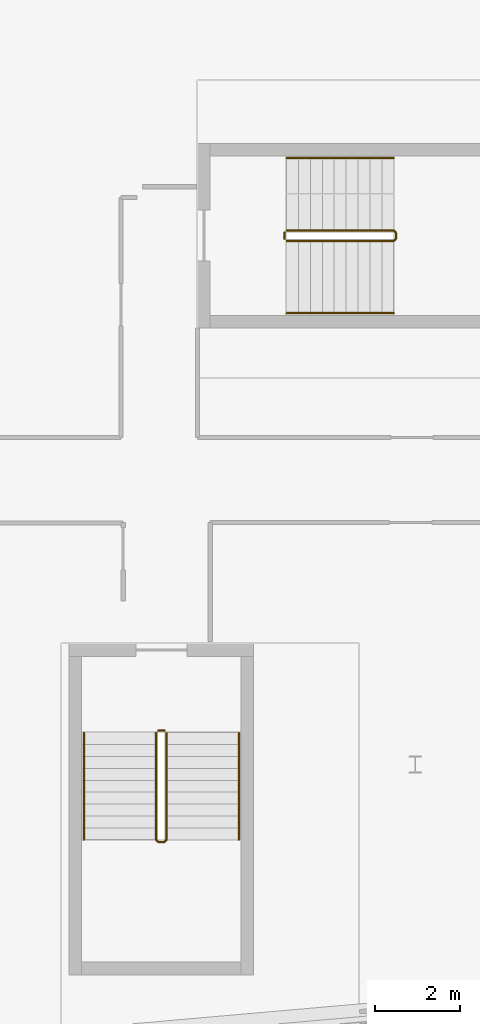
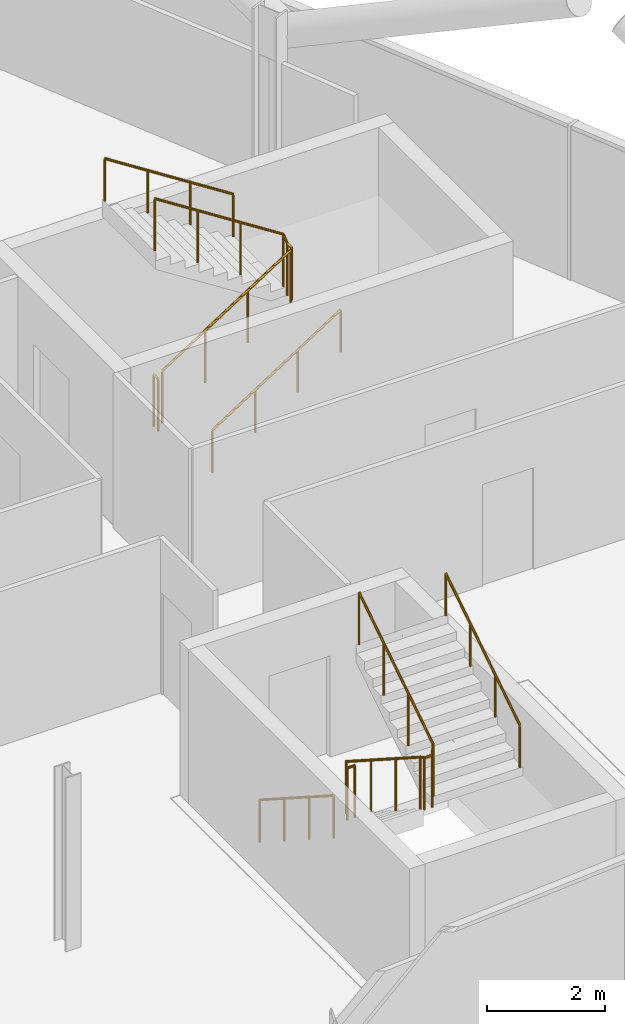
# One storey, part 25 of 26: 8 railings.
"""IFC4 building model written with IfcOpenShell, lengths in metres."""

from ifc_helpers import new_model, si_unit, direction, frame, origin, origin_2d, place, context, subcontext, project, spatial, circle, extrude, material, type_object, element, save


model = new_model("IFC4")

# Units and contexts
model_context = context("Model", 3, precision=1e-05, world=origin(), true_north=direction((0.0, 1.0)))
body_context = subcontext(model_context, "Body", "Model", "MODEL_VIEW")
ifc_project = project(units=[si_unit("LENGTHUNIT", "METRE"), si_unit("AREAUNIT", "SQUARE_METRE"), si_unit("VOLUMEUNIT", "CUBIC_METRE"), si_unit("PLANEANGLEUNIT", "RADIAN"), si_unit("MASSUNIT", "GRAM", prefix="KILO")], contexts=[model_context])

# Site, building, storey
site_placement = place(None, origin())
site = spatial("IfcSite", under=ifc_project, at=site_placement, CompositionType="ELEMENT")
building_placement = place(site_placement, origin())
building = spatial("IfcBuilding", under=site, at=building_placement, Name="Wharfspan Tower", CompositionType="ELEMENT")
storey_placement = place(building_placement, frame((0.0, 0.0, 217.899902)))
storey = spatial("IfcBuildingStorey", under=building, at=storey_placement, Name="L54", CompositionType="ELEMENT", Elevation=217.899902)

# Railings
ifc_material = material(Name="Steel S355J2", Category="steel")
railing_type_1 = type_object("IfcRailingType", Name="Stair guard 1100", PredefinedType="GUARDRAIL", material=ifc_material)
railing_1_placement = place(storey_placement, frame((65.893799, 12.246094, 0.180176)))
element("IfcRailing", 1, at=railing_1_placement, inside=storey, type_object=railing_type_1, Name="L54 ST5 stair guard 1", PredefinedType="GUARDRAIL", context=body_context, shape_type="SweptSolid", body=[
    extrude(circle(Radius=0.023926, at=origin_2d()), frame((0.0, 0.0, 1.076172), z_axis=(0.0, -0.8412, 0.540725), x_axis=(1.0, 0.0, 0.0)), (0.0, 0.0, 1.0), 2.99585),
    extrude(circle(Radius=0.023926, at=origin_2d()), frame((0.0, -2.52002, 2.695801), z_axis=(0.708834, -0.705376, 0.0), x_axis=(0.705376, 0.708834, 0.0)), (0.0, 0.0, 1.0), 0.070557),
    extrude(circle(Radius=0.023926, at=origin_2d()), frame((0.050049, -2.569824, 2.695801), z_axis=(1.0, 0.0, 0.0), x_axis=(0.0, 1.0, 0.0)), (0.0, 0.0, 1.0), 0.149902),
    extrude(circle(Radius=0.023926, at=origin_2d()), frame((0.199951, -2.569824, 2.695801), z_axis=(0.258932, 0.257669, 0.930892), x_axis=(-0.705372, 0.708833, -1e-06)), (0.0, 0.0, 1.0), 0.193359),
    extrude(circle(Radius=0.023926, at=origin_2d()), frame((0.25, -2.52002, 2.875977), z_axis=(0.0, 0.841163, 0.540782), x_axis=(-1.0, 0.0, 0.0)), (0.0, 0.0, 1.0), 2.99585),
    extrude(circle(Radius=0.020996, at=origin_2d()), origin(), (0.0, 0.0, 1.0), 1.052002),
    extrude(circle(Radius=0.020996, at=origin_2d()), frame((0.0, -0.840088, 0.540039)), (0.0, 0.0, 1.0), 1.052002),
    extrude(circle(Radius=0.020996, at=origin_2d()), frame((0.0, -1.679932, 1.079834)), (0.0, 0.0, 1.0), 1.052002),
    extrude(circle(Radius=0.020996, at=origin_2d()), frame((0.0, -2.52002, 1.619873)), (0.0, 0.0, 1.0), 1.052002),
    extrude(circle(Radius=0.020996, at=origin_2d()), frame((0.050049, -2.569824, 1.619873)), (0.0, 0.0, 1.0), 1.052002),
    extrude(circle(Radius=0.020996, at=origin_2d()), frame((0.199951, -2.569824, 1.619873)), (0.0, 0.0, 1.0), 1.052002),
    extrude(circle(Radius=0.020996, at=origin_2d()), frame((0.25, -2.52002, 1.799805)), (0.0, 0.0, 1.0), 1.052002),
    extrude(circle(Radius=0.020996, at=origin_2d()), frame((0.25, -1.679932, 2.339844)), (0.0, 0.0, 1.0), 1.052002),
    extrude(circle(Radius=0.020996, at=origin_2d()), frame((0.25, -0.840088, 2.879883)), (0.0, 0.0, 1.0), 1.052002),
    extrude(circle(Radius=0.020996, at=origin_2d()), frame((0.25, 0.0, 3.419922)), (0.0, 0.0, 1.0), 1.052002),
])
railing_2_placement = place(storey_placement, frame((65.943848, 12.296143, 0.0)))
element("IfcRailing", 2, at=railing_2_placement, inside=storey, type_object=railing_type_1, Name="L54 ST5 stair guard 2", PredefinedType="GUARDRAIL", context=body_context, shape_type="SweptSolid", body=[
    extrude(circle(Radius=0.023926, at=origin_2d()), frame((0.0, 0.0, 1.076172), z_axis=(1.0, 0.0, 0.0), x_axis=(0.0, 1.0, 0.0)), (0.0, 0.0, 1.0), 0.149902),
    extrude(circle(Radius=0.020996, at=origin_2d()), origin(), (0.0, 0.0, 1.0), 1.052002),
    extrude(circle(Radius=0.020996, at=origin_2d()), frame((0.149902, 0.0, 0.0)), (0.0, 0.0, 1.0), 1.052002),
])
railing_3_placement = place(storey_placement, frame((68.969482, 23.824951, 0.180176)))
element("IfcRailing", 3, at=railing_3_placement, inside=storey, type_object=railing_type_1, Name="L54 ST6 stair guard 1", PredefinedType="GUARDRAIL", context=body_context, shape_type="SweptSolid", body=[
    extrude(circle(Radius=0.023926, at=origin_2d()), frame((0.0, 0.0, 1.076172), z_axis=(0.8412, 0.0, 0.540725), x_axis=(0.0, 1.0, 0.0)), (0.0, 0.0, 1.0), 2.99585),
    extrude(circle(Radius=0.023926, at=origin_2d()), frame((2.52002, 0.0, 2.695801), z_axis=(0.707107, 0.707107, 0.0), x_axis=(-0.707107, 0.707107, 0.0)), (0.0, 0.0, 1.0), 0.070801),
    extrude(circle(Radius=0.023926, at=origin_2d()), frame((2.570068, 0.050049, 2.695801), z_axis=(0.0, 1.0, 0.0), x_axis=(-1.0, 0.0, 0.0)), (0.0, 0.0, 1.0), 0.149902),
    extrude(circle(Radius=0.023926, at=origin_2d()), frame((2.570068, 0.199951, 2.695801), z_axis=(-0.258848, 0.258848, 0.930589), x_axis=(-0.707107, -0.707107, 0.0)), (0.0, 0.0, 1.0), 0.193359),
    extrude(circle(Radius=0.023926, at=origin_2d()), frame((2.52002, 0.25, 2.875977), z_axis=(-0.841163, 0.0, 0.540782), x_axis=(0.0, -1.0, 0.0)), (0.0, 0.0, 1.0), 2.99585),
    extrude(circle(Radius=0.020996, at=origin_2d()), origin(), (0.0, 0.0, 1.0), 1.052002),
    extrude(circle(Radius=0.020996, at=origin_2d()), frame((0.840088, 0.0, 0.540039)), (0.0, 0.0, 1.0), 1.052002),
    extrude(circle(Radius=0.020996, at=origin_2d()), frame((1.679932, 0.0, 1.079834)), (0.0, 0.0, 1.0), 1.052002),
    extrude(circle(Radius=0.020996, at=origin_2d()), frame((2.52002, 0.0, 1.619873)), (0.0, 0.0, 1.0), 1.052002),
    extrude(circle(Radius=0.020996, at=origin_2d()), frame((2.570068, 0.050049, 1.619873)), (0.0, 0.0, 1.0), 1.052002),
    extrude(circle(Radius=0.020996, at=origin_2d()), frame((2.570068, 0.199951, 1.619873)), (0.0, 0.0, 1.0), 1.052002),
    extrude(circle(Radius=0.020996, at=origin_2d()), frame((2.52002, 0.25, 1.799805)), (0.0, 0.0, 1.0), 1.052002),
    extrude(circle(Radius=0.020996, at=origin_2d()), frame((1.679932, 0.25, 2.339844)), (0.0, 0.0, 1.0), 1.052002),
    extrude(circle(Radius=0.020996, at=origin_2d()), frame((0.840088, 0.25, 2.879883)), (0.0, 0.0, 1.0), 1.052002),
    extrude(circle(Radius=0.020996, at=origin_2d()), frame((0.0, 0.25, 3.419922)), (0.0, 0.0, 1.0), 1.052002),
])
railing_4_placement = place(storey_placement, frame((68.919678, 23.875, 0.0)))
element("IfcRailing", 4, at=railing_4_placement, inside=storey, type_object=railing_type_1, Name="L54 ST6 stair guard 2", PredefinedType="GUARDRAIL", context=body_context, shape_type="SweptSolid", body=[
    extrude(circle(Radius=0.023926, at=origin_2d()), frame((0.0, 0.0, 1.076172), z_axis=(0.0, 1.0, 0.0), x_axis=(-1.0, 0.0, 0.0)), (0.0, 0.0, 1.0), 0.149902),
    extrude(circle(Radius=0.020996, at=origin_2d()), origin(), (0.0, 0.0, 1.0), 1.052002),
    extrude(circle(Radius=0.020996, at=origin_2d()), frame((0.0, 0.149902, 0.0)), (0.0, 0.0, 1.0), 1.052002),
])
railing_type_2 = type_object("IfcRailingType", Name="Stair handrail 900", PredefinedType="HANDRAIL", material=ifc_material)
railing_5_placement = place(storey_placement, frame((64.193848, 12.246094, 0.180176)))
element("IfcRailing", 5, at=railing_5_placement, inside=storey, type_object=railing_type_2, Name="L54 ST5 stair handrail 1", PredefinedType="HANDRAIL", context=body_context, shape_type="SweptSolid", body=[
    extrude(circle(Radius=0.023926, at=origin_2d()), frame((0.0, 0.0, 0.875977), z_axis=(0.0, -0.8412, 0.540725), x_axis=(1.0, 0.0, 0.0)), (0.0, 0.0, 1.0), 2.99585),
    extrude(circle(Radius=0.020996, at=origin_2d()), origin(), (0.0, 0.0, 1.0), 0.851807),
    extrude(circle(Radius=0.020996, at=origin_2d()), frame((0.0, -0.840088, 0.540039)), (0.0, 0.0, 1.0), 0.851807),
    extrude(circle(Radius=0.020996, at=origin_2d()), frame((0.0, -1.679932, 1.079834)), (0.0, 0.0, 1.0), 0.851807),
    extrude(circle(Radius=0.020996, at=origin_2d()), frame((0.0, -2.52002, 1.619873)), (0.0, 0.0, 1.0), 0.851807),
])
railing_6_placement = place(storey_placement, frame((67.84375, 9.726074, 1.97998)))
element("IfcRailing", 6, at=railing_6_placement, inside=storey, type_object=railing_type_2, Name="L54 ST5 stair handrail 2", PredefinedType="HANDRAIL", context=body_context, shape_type="SweptSolid", body=[
    extrude(circle(Radius=0.023926, at=origin_2d()), frame((0.0, 0.0, 0.875977), z_axis=(0.0, 0.841163, 0.540782), x_axis=(-1.0, 0.0, 0.0)), (0.0, 0.0, 1.0), 2.99585),
    extrude(circle(Radius=0.020996, at=origin_2d()), origin(), (0.0, 0.0, 1.0), 0.851807),
    extrude(circle(Radius=0.020996, at=origin_2d()), frame((0.0, 0.840088, 0.540039)), (0.0, 0.0, 1.0), 0.851807),
    extrude(circle(Radius=0.020996, at=origin_2d()), frame((0.0, 1.679932, 1.080078)), (0.0, 0.0, 1.0), 0.851807),
    extrude(circle(Radius=0.020996, at=origin_2d()), frame((0.0, 2.52002, 1.620117)), (0.0, 0.0, 1.0), 0.851807),
])
railing_7_placement = place(storey_placement, frame((68.969482, 22.125, 0.180176)))
element("IfcRailing", 7, at=railing_7_placement, inside=storey, type_object=railing_type_2, Name="L54 ST6 stair handrail 1", PredefinedType="HANDRAIL", context=body_context, shape_type="SweptSolid", body=[
    extrude(circle(Radius=0.023926, at=origin_2d()), frame((0.0, 0.0, 0.875977), z_axis=(0.8412, 0.0, 0.540725), x_axis=(0.0, 1.0, 0.0)), (0.0, 0.0, 1.0), 2.99585),
    extrude(circle(Radius=0.020996, at=origin_2d()), origin(), (0.0, 0.0, 1.0), 0.851807),
    extrude(circle(Radius=0.020996, at=origin_2d()), frame((0.840088, 0.0, 0.540039)), (0.0, 0.0, 1.0), 0.851807),
    extrude(circle(Radius=0.020996, at=origin_2d()), frame((1.679932, 0.0, 1.079834)), (0.0, 0.0, 1.0), 0.851807),
    extrude(circle(Radius=0.020996, at=origin_2d()), frame((2.52002, 0.0, 1.619873)), (0.0, 0.0, 1.0), 0.851807),
])
railing_8_placement = place(storey_placement, frame((71.489502, 25.774902, 1.97998)))
element("IfcRailing", 8, at=railing_8_placement, inside=storey, type_object=railing_type_2, Name="L54 ST6 stair handrail 2", PredefinedType="HANDRAIL", context=body_context, shape_type="SweptSolid", body=[
    extrude(circle(Radius=0.023926, at=origin_2d()), frame((0.0, 0.0, 0.875977), z_axis=(-0.841163, 0.0, 0.540782), x_axis=(0.0, -1.0, 0.0)), (0.0, 0.0, 1.0), 2.99585),
    extrude(circle(Radius=0.020996, at=origin_2d()), origin(), (0.0, 0.0, 1.0), 0.851807),
    extrude(circle(Radius=0.020996, at=origin_2d()), frame((-0.840088, 0.0, 0.540039)), (0.0, 0.0, 1.0), 0.851807),
    extrude(circle(Radius=0.020996, at=origin_2d()), frame((-1.679932, 0.0, 1.080078)), (0.0, 0.0, 1.0), 0.851807),
    extrude(circle(Radius=0.020996, at=origin_2d()), frame((-2.52002, 0.0, 1.620117)), (0.0, 0.0, 1.0), 0.851807),
])

save(model, "model.ifc")
